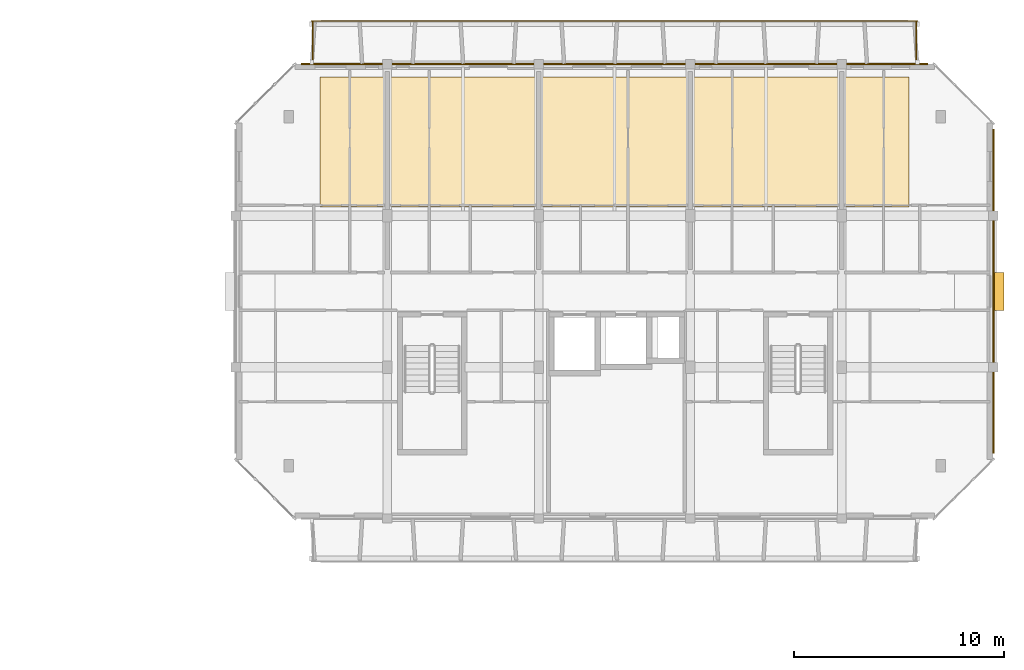
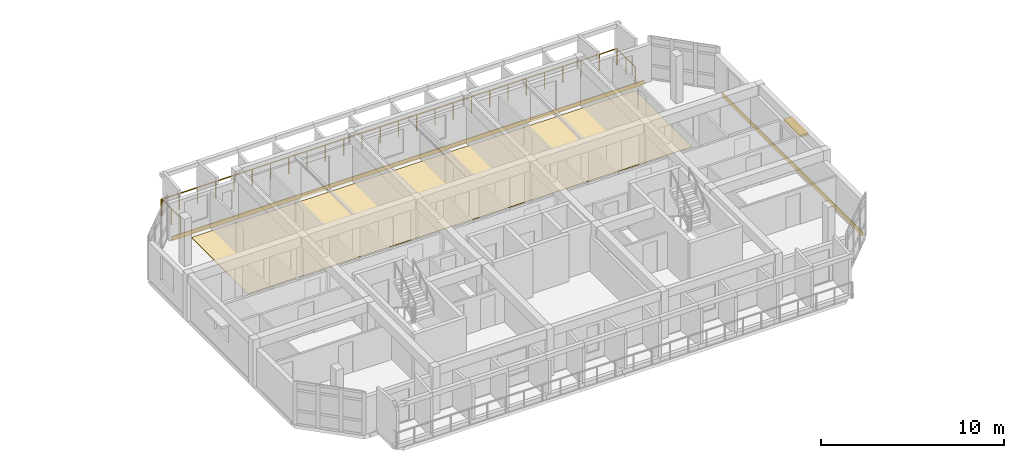
# One storey, part 43 of 43: 3 coverings, 3 railings, 1 shading device.
"""IFC4 building model written with IfcOpenShell, lengths in metres."""

from ifc_helpers import new_model, si_unit, direction, frame, origin, origin_2d, place, context, subcontext, project, spatial, polyline, rectangle, circle, outline, extrude, material, layer, layer_set, type_object, element, save


model = new_model("IFC4")

# Units and contexts
model_context = context("Model", 3, precision=1e-05, world=origin(), true_north=direction((0.0, 1.0)))
body_context = subcontext(model_context, "Body", "Model", "MODEL_VIEW")
ifc_project = project(units=[si_unit("LENGTHUNIT", "METRE"), si_unit("AREAUNIT", "SQUARE_METRE"), si_unit("VOLUMEUNIT", "CUBIC_METRE"), si_unit("PLANEANGLEUNIT", "RADIAN"), si_unit("MASSUNIT", "GRAM", prefix="KILO")], contexts=[model_context])

# Site, building, storey
site_placement = place(None, origin())
site = spatial("IfcSite", under=ifc_project, at=site_placement, CompositionType="ELEMENT")
building_placement = place(site_placement, origin())
building = spatial("IfcBuilding", under=site, at=building_placement, Name="Ochrevale Crest", CompositionType="ELEMENT")
storey_placement = place(building_placement, frame((0.0, 0.0, 30.75)))
storey = spatial("IfcBuildingStorey", under=building, at=storey_placement, Name="L09", CompositionType="ELEMENT", Elevation=30.75)

# Coverings
ifc_material_1 = material(Name="Glazed terracotta rainscreen tile", Category="masonry")
ifc_layer_1 = layer(ifc_material_1, 0.048095703125)
ifc_layer_set_1 = layer_set([ifc_layer_1], Name="Glazed terracotta rainscreen tile")
covering_type_1 = type_object("IfcCoveringType", Name="COV-CLAD-TER", PredefinedType="CLADDING", material=ifc_layer_set_1)
covering_1_placement = place(storey_placement, frame((165.614501953125, 82.800048828125, -0.26025390625), z_axis=(0.0, 0.0, 1.0), x_axis=(0.0, 1.0, 0.0)))
element("IfcCovering", 1, at=covering_1_placement, inside=storey, type_object=covering_type_1, Name="Block D L09 terracotta slab-edge spandrel cladding", PredefinedType="CLADDING", context=body_context, shape_type="SweptSolid", body=[
    extrude(rectangle(XDim=15.39990234375, YDim=0.06005859375, at=origin_2d()), origin(), (0.0, 0.0, 1.0), 0.280029296875),
])
covering_2_placement = place(storey_placement, frame((147.60009765625, 93.612548828125, -0.26025390625), z_axis=(0.0, 0.0, 1.0), x_axis=(-1.0, 0.0, 0.0)))
element("IfcCovering", 2, at=covering_2_placement, inside=storey, type_object=covering_type_1, Name="Block D L09 terracotta slab-edge spandrel cladding", PredefinedType="CLADDING", context=body_context, shape_type="SweptSolid", body=[
    extrude(rectangle(XDim=29.800048828125, YDim=0.06005859375, at=origin_2d()), origin(), (0.0, 0.0, 1.0), 0.280029296875),
])
ifc_material_2 = material(Name="Engineered spotted-gum hardwood flooring", Category="wood")
ifc_layer_2 = layer(ifc_material_2, 0.02001953125)
ifc_layer_set_2 = layer_set([ifc_layer_2], Name="Engineered spotted-gum hardwood flooring")
covering_type_2 = type_object("IfcCoveringType", Name="COV-FLR-TIM", PredefinedType="FLOORING", material=ifc_layer_set_2)
covering_3_placement = place(storey_placement, origin())
element("IfcCovering", 3, at=covering_3_placement, inside=storey, type_object=covering_type_2, Name="Block D L09 spotted-gum apartment flooring", PredefinedType="FLOORING", context=body_context, shape_type="SweptSolid", body=[
    extrude(outline(polyline([(133.60009765625, 86.800048828125), (161.60009765625, 86.800048828125), (161.60009765625, 93.0), (133.60009765625, 93.0), (133.60009765625, 86.800048828125)])), origin(), (0.0, 0.0, 1.0), 0.02001953125),
])

# Railings
ifc_material_3 = material(Name="Galvanised steel", Category="steel")
railing_type = type_object("IfcRailingType", Name="RL-BAL-1100", PredefinedType="BALUSTRADE", material=ifc_material_3)
railing_placement = place(storey_placement, frame((133.199951171875, 95.639892578125, 0.0)))
element("IfcRailing", 4, at=railing_placement, inside=storey, type_object=railing_type, Name="Block D L09 N balcony front balustrade", PredefinedType="BALUSTRADE", context=body_context, shape_type="SweptSolid", body=[
    extrude(circle(Radius=0.02392578125, at=origin_2d()), frame((0.0, 0.0, 1.0859375), z_axis=(1.0, 0.0, 0.0), x_axis=(0.0, 1.0, 0.0)), (0.0, 0.0, 1.0), 28.800048828125),
    extrude(circle(Radius=0.02099609375, at=origin_2d()), origin(), (0.0, 0.0, 1.0), 1.06201171875),
    extrude(circle(Radius=0.02099609375, at=origin_2d()), frame((1.152099609375, 0.0, 0.0)), (0.0, 0.0, 1.0), 1.06201171875),
    extrude(circle(Radius=0.02099609375, at=origin_2d()), frame((2.303955078125, 0.0, 0.0)), (0.0, 0.0, 1.0), 1.06201171875),
    extrude(circle(Radius=0.02099609375, at=origin_2d()), frame((3.4560546875, 0.0, 0.0)), (0.0, 0.0, 1.0), 1.06201171875),
    extrude(circle(Radius=0.02099609375, at=origin_2d()), frame((4.60791015625, 0.0, 0.0)), (0.0, 0.0, 1.0), 1.06201171875),
    extrude(circle(Radius=0.02099609375, at=origin_2d()), frame((5.760009765625, 0.0, 0.0)), (0.0, 0.0, 1.0), 1.06201171875),
    extrude(circle(Radius=0.02099609375, at=origin_2d()), frame((6.912109375, 0.0, 0.0)), (0.0, 0.0, 1.0), 1.06201171875),
    extrude(circle(Radius=0.02099609375, at=origin_2d()), frame((8.06396484375, 0.0, 0.0)), (0.0, 0.0, 1.0), 1.06201171875),
    extrude(circle(Radius=0.02099609375, at=origin_2d()), frame((9.216064453125, 0.0, 0.0)), (0.0, 0.0, 1.0), 1.06201171875),
    extrude(circle(Radius=0.02099609375, at=origin_2d()), frame((10.367919921875, 0.0, 0.0)), (0.0, 0.0, 1.0), 1.06201171875),
    extrude(circle(Radius=0.02099609375, at=origin_2d()), frame((11.52001953125, 0.0, 0.0)), (0.0, 0.0, 1.0), 1.06201171875),
    extrude(circle(Radius=0.02099609375, at=origin_2d()), frame((12.672119140625, 0.0, 0.0)), (0.0, 0.0, 1.0), 1.06201171875),
    extrude(circle(Radius=0.02099609375, at=origin_2d()), frame((13.823974609375, 0.0, 0.0)), (0.0, 0.0, 1.0), 1.06201171875),
    extrude(circle(Radius=0.02099609375, at=origin_2d()), frame((14.97607421875, 0.0, 0.0)), (0.0, 0.0, 1.0), 1.06201171875),
    extrude(circle(Radius=0.02099609375, at=origin_2d()), frame((16.1279296875, 0.0, 0.0)), (0.0, 0.0, 1.0), 1.06201171875),
    extrude(circle(Radius=0.02099609375, at=origin_2d()), frame((17.280029296875, 0.0, 0.0)), (0.0, 0.0, 1.0), 1.06201171875),
    extrude(circle(Radius=0.02099609375, at=origin_2d()), frame((18.43212890625, 0.0, 0.0)), (0.0, 0.0, 1.0), 1.06201171875),
    extrude(circle(Radius=0.02099609375, at=origin_2d()), frame((19.583984375, 0.0, 0.0)), (0.0, 0.0, 1.0), 1.06201171875),
    extrude(circle(Radius=0.02099609375, at=origin_2d()), frame((20.736083984375, 0.0, 0.0)), (0.0, 0.0, 1.0), 1.06201171875),
    extrude(circle(Radius=0.02099609375, at=origin_2d()), frame((21.887939453125, 0.0, 0.0)), (0.0, 0.0, 1.0), 1.06201171875),
    extrude(circle(Radius=0.02099609375, at=origin_2d()), frame((23.0400390625, 0.0, 0.0)), (0.0, 0.0, 1.0), 1.06201171875),
    extrude(circle(Radius=0.02099609375, at=origin_2d()), frame((24.192138671875, 0.0, 0.0)), (0.0, 0.0, 1.0), 1.06201171875),
    extrude(circle(Radius=0.02099609375, at=origin_2d()), frame((25.343994140625, 0.0, 0.0)), (0.0, 0.0, 1.0), 1.06201171875),
    extrude(circle(Radius=0.02099609375, at=origin_2d()), frame((26.49609375, 0.0, 0.0)), (0.0, 0.0, 1.0), 1.06201171875),
    extrude(circle(Radius=0.02099609375, at=origin_2d()), frame((27.64794921875, 0.0, 0.0)), (0.0, 0.0, 1.0), 1.06201171875),
    extrude(circle(Radius=0.02099609375, at=origin_2d()), frame((28.800048828125, 0.0, 0.0)), (0.0, 0.0, 1.0), 1.06201171875),
])
for number, where, name in (
    (5, (133.260009765625, 93.60009765625, 0.0), "Block D L09 N-W balcony side guard"),
    (6, (161.93994140625, 93.60009765625, 0.0), "Block D L09 N-E balcony side guard"),
):
    element("IfcRailing", number, at=place(storey_placement, frame(where)), inside=storey, type_object=railing_type, Name=name, PredefinedType="BALUSTRADE", context=body_context, shape_type="SweptSolid", body=[
        extrude(circle(Radius=0.02392578125, at=origin_2d()), frame((0.0, 0.0, 1.0859375), z_axis=(0.0, 1.0, 0.0), x_axis=(-1.0, 0.0, 0.0)), (0.0, 0.0, 1.0), 2.039794921875),
        extrude(circle(Radius=0.02099609375, at=origin_2d()), origin(), (0.0, 0.0, 1.0), 1.06201171875),
        extrude(circle(Radius=0.02099609375, at=origin_2d()), frame((0.0, 1.02001953125, 0.0)), (0.0, 0.0, 1.0), 1.06201171875),
        extrude(circle(Radius=0.02099609375, at=origin_2d()), frame((0.0, 2.039794921875, 0.0)), (0.0, 0.0, 1.0), 1.06201171875),
    ])

# Shading device
ifc_material_4 = material(Name="Anodised aluminium 6063-T5", Category="aluminium")
shading_device_type = type_object("IfcShadingDeviceType", Name="SHD-SUNSHADE-OC", PredefinedType="USERDEFINED", material=ifc_material_4)
shading_device_placement = place(storey_placement, frame((165.840087890625, 82.800048828125, 2.2099609375), z_axis=(0.0, 0.0, 1.0), x_axis=(1.0, 0.0, 0.0)))
element("IfcShadingDevice", 7, at=shading_device_placement, inside=storey, type_object=shading_device_type, Name="Block D L09 gable window sunshade E", ObjectType="HORIZONTAL SUNSHADE", PredefinedType="USERDEFINED", context=body_context, shape_type="SweptSolid", body=[
    extrude(rectangle(XDim=0.550048828125, YDim=1.800048828125, at=origin_2d()), origin(), (0.0, 0.0, 1.0), 0.139892578125),
])

save(model, "model.ifc")
